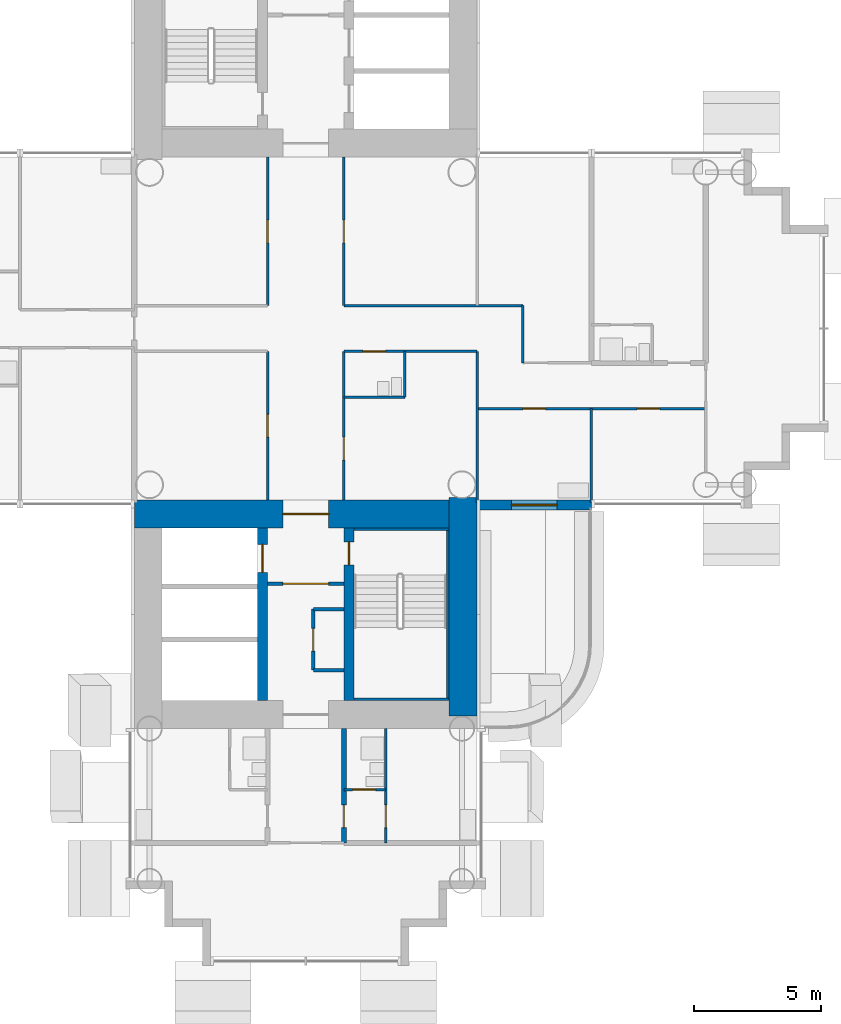
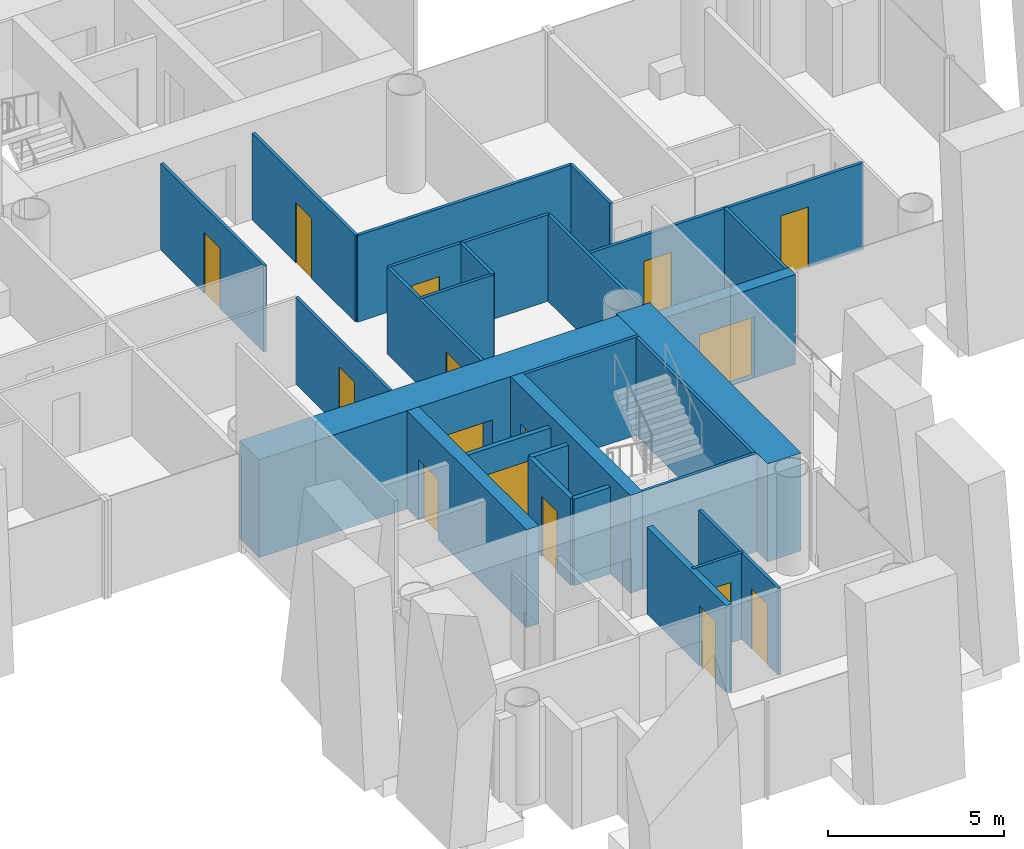
# One storey, part 15 of 25: 27 walls, 16 doors, 16 openings.
"""IFC4 building model written with IfcOpenShell, lengths in metres."""

from ifc_helpers import new_model, si_unit, direction, frame, frame_2d, origin, place, context, subcontext, project, spatial, rectangle, extrude, material, layer, layer_set, type_object, element, fill, save


model = new_model("IFC4")

# Units and contexts
model_context = context("Model", 3, precision=1e-05, world=origin(), true_north=direction((0.0, 1.0)))
body_context = subcontext(model_context, "Body", "Model", "MODEL_VIEW")
ifc_project = project(units=[si_unit("LENGTHUNIT", "METRE"), si_unit("AREAUNIT", "SQUARE_METRE"), si_unit("VOLUMEUNIT", "CUBIC_METRE"), si_unit("PLANEANGLEUNIT", "RADIAN"), si_unit("MASSUNIT", "GRAM", prefix="KILO")], contexts=[model_context])

# Site, building, storey
site_placement = place(None, origin())
site = spatial("IfcSite", under=ifc_project, at=site_placement, CompositionType="ELEMENT")
building_placement = place(site_placement, origin())
building = spatial("IfcBuilding", under=site, at=building_placement, Name="Ipe Terrace Towers", CompositionType="ELEMENT")
storey_placement = place(building_placement, frame((0.0, 0.0, 31.300048828125)))
storey = spatial("IfcBuildingStorey", under=building, at=storey_placement, Name="L07", CompositionType="ELEMENT", Elevation=31.300048828125)

# Wall, opening, door
ifc_material_1 = material(Name="Concrete C40/50 with buff precast cladding", Category="concrete")
ifc_layer_1 = layer(ifc_material_1, 0.39990234375)
ifc_layer_set_1 = layer_set([ifc_layer_1], Name="BALCONY BAY WALL 400")
wall_type_1 = type_object("IfcWallType", Name="BALCONY BAY WALL 400", PredefinedType="STANDARD", material=ifc_layer_set_1)
wall_1_placement = place(storey_placement, frame((42.75, -6.949951171875, -0.02001953125), z_axis=(0.0, 0.0, 1.0), x_axis=(1.0, 0.0, 0.0)))
wall_1 = element("IfcWall", 1, at=wall_1_placement, inside=storey, type_object=wall_type_1, Name="T2-W-L07-06a wall", PredefinedType="STANDARD", context=body_context, shape_type="SweptSolid", body=[
    extrude(rectangle(XDim=4.5, YDim=0.39990234375, at=frame_2d((2.25, 0.0))), origin(), (0.0, 0.0, 1.0), 3.119873046875),
])
opening_1_placement = place(wall_1_placement, frame((1.35009765625, 0.0, 0.02001953125)))
opening_1 = element("IfcOpeningElement", 2, at=opening_1_placement, cuts=wall_1, Name="Opening T2-D-L07-06", PredefinedType="OPENING", context=body_context, shape_type="SweptSolid", body=[
    extrude(rectangle(XDim=1.800048828125, YDim=2.10009765625, at=frame_2d((0.89990234375, 1.050048828125))), frame((0.0, 0.2099609375, 0.0), z_axis=(0.0, -1.0, 0.0), x_axis=(1.0, 0.0, 0.0)), (0.0, 0.0, 1.0), 0.419921875),
])
ifc_material_2 = material(Name="Aluminium alloy 6063-T6 framed glazed door", Category="aluminium")
door_type_1 = type_object("IfcDoorType", Name="BALCONY DOOR 1800 x 2100 RIGHT", OperationType="SINGLE_SWING_RIGHT", PredefinedType="DOOR", material=ifc_material_2)
door_1_placement = place(opening_1_placement, origin())
door_1 = element("IfcDoor", 3, at=door_1_placement, inside=storey, type_object=door_type_1, Name="DB2 door", OperationType="SINGLE_SWING_RIGHT", OverallHeight=2.10009765625, OverallWidth=1.800048828125, PredefinedType="DOOR", context=body_context, shape_type="SweptSolid", body=[
    extrude(rectangle(XDim=1.800048828125, YDim=2.10009765625, at=frame_2d((0.89990234375, 1.050048828125))), frame((0.0, 0.02490234375, 0.0), z_axis=(0.0, -1.0, 0.0), x_axis=(1.0, 0.0, 0.0)), (0.0, 0.0, 1.0), 0.050048828125),
])
fill(opening_1, door_1)

ifc_material_3 = material(Name="Gypsum board partition", Category="plasterboard")
ifc_layer_2 = layer(ifc_material_3, 0.10009765625)
ifc_layer_set_2 = layer_set([ifc_layer_2], Name="Gypsum board partition 100 mm")
wall_type_2 = type_object("IfcWallType", Name="Gypsum board partition 100 mm", PredefinedType="PARTITIONING", material=ifc_layer_set_2)
wall_2_placement = place(storey_placement, frame((39.14990234375, -18.14990234375, 0.0), z_axis=(0.0, 0.0, 1.0), x_axis=(-1.0, 0.0, 0.0)))
wall_2 = element("IfcWall", 4, at=wall_2_placement, inside=storey, type_object=wall_type_2, Name="Gypsum board partition T2 L07 W04", PredefinedType="PARTITIONING", context=body_context, shape_type="SweptSolid", body=[
    extrude(rectangle(XDim=1.64990234375, YDim=0.10009765625, at=frame_2d((0.824951171875, 0.0))), origin(), (0.0, 0.0, 1.0), 3.0),
])
opening_2_placement = place(wall_2_placement, frame((0.39990234375, 0.0, 0.0)))
opening_2 = element("IfcOpeningElement", 5, at=opening_2_placement, cuts=wall_2, Name="Opening T2-Z1A-31", PredefinedType="OPENING", context=body_context, shape_type="SweptSolid", body=[
    extrude(rectangle(XDim=0.89990234375, YDim=2.10009765625, at=frame_2d((0.449951171875, 1.050048828125))), frame((0.0, 0.06005859375, 0.0), z_axis=(0.0, -1.0, 0.0), x_axis=(1.0, 0.0, 0.0)), (0.0, 0.0, 1.0), 0.1201171875),
])
ifc_material_4 = material(Name="Timber door leaf", Category="wood")
door_type_2 = type_object("IfcDoorType", Name="Bathroom door 900 x 2100", OperationType="NOTDEFINED", PredefinedType="DOOR", material=ifc_material_4)
door_2_placement = place(opening_2_placement, origin())
door_2 = element("IfcDoor", 6, at=door_2_placement, inside=storey, type_object=door_type_2, Name="Bathroom door T2-Z1A-31", OperationType="SINGLE_SWING_RIGHT", OverallHeight=2.10009765625, OverallWidth=0.89990234375, PredefinedType="DOOR", context=body_context, shape_type="SweptSolid", body=[
    extrude(rectangle(XDim=0.89990234375, YDim=2.10009765625, at=frame_2d((0.449951171875, 1.050048828125))), frame((0.0, 0.02490234375, 0.0), z_axis=(0.0, -1.0, 0.0), x_axis=(1.0, 0.0, 0.0)), (0.0, 0.0, 1.0), 0.050048828125),
])
fill(opening_2, door_2)

# Wall, openings, doors
wall_3_placement = place(storey_placement, frame((51.75, -3.14990234375, 0.0), z_axis=(0.0, 0.0, 1.0), x_axis=(-1.0, 0.0, 0.0)))
wall_3 = element("IfcWall", 7, at=wall_3_placement, inside=storey, type_object=wall_type_2, Name="Gypsum board partition T2 L07 W06", PredefinedType="PARTITIONING", context=body_context, shape_type="SweptSolid", body=[
    extrude(rectangle(XDim=9.0, YDim=0.10009765625, at=frame_2d((4.5, 0.0))), origin(), (0.0, 0.0, 1.0), 3.0),
])
opening_3_placement = place(wall_3_placement, frame((6.300048828125, 0.0, 0.0)))
opening_3 = element("IfcOpeningElement", 8, at=opening_3_placement, cuts=wall_3, Name="Opening T2-Z1A-19", PredefinedType="OPENING", context=body_context, shape_type="SweptSolid", body=[
    extrude(rectangle(XDim=0.89990234375, YDim=2.10009765625, at=frame_2d((0.449951171875, 1.050048828125))), frame((0.0, 0.06005859375, 0.0), z_axis=(0.0, -1.0, 0.0), x_axis=(1.0, 0.0, 0.0)), (0.0, 0.0, 1.0), 0.1201171875),
])
opening_4_placement = place(wall_3_placement, frame((1.800048828125, 0.0, 0.0)))
opening_4 = element("IfcOpeningElement", 9, at=opening_4_placement, cuts=wall_3, Name="Opening T2-Z1A-20", PredefinedType="OPENING", context=body_context, shape_type="SweptSolid", body=[
    extrude(rectangle(XDim=0.89990234375, YDim=2.10009765625, at=frame_2d((0.449951171875, 1.050048828125))), frame((0.0, 0.06005859375, 0.0), z_axis=(0.0, -1.0, 0.0), x_axis=(1.0, 0.0, 0.0)), (0.0, 0.0, 1.0), 0.1201171875),
])
ifc_material_5 = material(Name="Timber door leaf", Category="wood")
door_type_3 = type_object("IfcDoorType", Name="Lounge door 900 x 2100", OperationType="NOTDEFINED", PredefinedType="DOOR", material=ifc_material_5)
door_3_placement = place(opening_3_placement, origin())
door_3 = element("IfcDoor", 10, at=door_3_placement, inside=storey, type_object=door_type_3, Name="Lounge door T2-Z1A-19", OperationType="SINGLE_SWING_LEFT", OverallHeight=2.10009765625, OverallWidth=0.89990234375, PredefinedType="DOOR", context=body_context, shape_type="SweptSolid", body=[
    extrude(rectangle(XDim=0.89990234375, YDim=2.10009765625, at=frame_2d((0.449951171875, 1.050048828125))), frame((0.0, 0.02490234375, 0.0), z_axis=(0.0, -1.0, 0.0), x_axis=(1.0, 0.0, 0.0)), (0.0, 0.0, 1.0), 0.050048828125),
])
fill(opening_3, door_3)
door_4_placement = place(opening_4_placement, origin())
door_4 = element("IfcDoor", 11, at=door_4_placement, inside=storey, type_object=door_type_3, Name="Lounge door T2-Z1A-20", OperationType="SINGLE_SWING_RIGHT", OverallHeight=2.10009765625, OverallWidth=0.89990234375, PredefinedType="DOOR", context=body_context, shape_type="SweptSolid", body=[
    extrude(rectangle(XDim=0.89990234375, YDim=2.10009765625, at=frame_2d((0.449951171875, 1.050048828125))), frame((0.0, 0.02490234375, 0.0), z_axis=(0.0, -1.0, 0.0), x_axis=(1.0, 0.0, 0.0)), (0.0, 0.0, 1.0), 0.050048828125),
])
fill(opening_4, door_4)

# Wall
wall_4_placement = place(storey_placement, frame((39.89990234375, -2.699951171875, 0.0), z_axis=(0.0, 0.0, 1.0), x_axis=(-1.0, 0.0, 0.0)))
element("IfcWall", 12, at=wall_4_placement, inside=storey, type_object=wall_type_2, Name="Gypsum board partition T2 L07 W07", PredefinedType="PARTITIONING", context=body_context, shape_type="SweptSolid", body=[
    extrude(rectangle(XDim=2.39990234375, YDim=0.10009765625, at=frame_2d((1.199951171875, 0.0))), origin(), (0.0, 0.0, 1.0), 3.0),
])

# Wall, opening, door
wall_5_placement = place(storey_placement, frame((42.75, -0.89990234375, 0.0), z_axis=(0.0, 0.0, 1.0), x_axis=(-1.0, 0.0, 0.0)))
wall_5 = element("IfcWall", 13, at=wall_5_placement, inside=storey, type_object=wall_type_2, Name="Gypsum board partition T2 L07 W11", PredefinedType="PARTITIONING", context=body_context, shape_type="SweptSolid", body=[
    extrude(rectangle(XDim=5.25, YDim=0.10009765625, at=frame_2d((2.625, 0.0))), origin(), (0.0, 0.0, 1.0), 3.0),
])
opening_5_placement = place(wall_5_placement, frame((3.60009765625, 0.0, 0.0)))
opening_5 = element("IfcOpeningElement", 14, at=opening_5_placement, cuts=wall_5, Name="Opening T2-Z1A-01", PredefinedType="OPENING", context=body_context, shape_type="SweptSolid", body=[
    extrude(rectangle(XDim=0.89990234375, YDim=2.10009765625, at=frame_2d((0.449951171875, 1.050048828125))), frame((0.0, 0.06005859375, 0.0), z_axis=(0.0, -1.0, 0.0), x_axis=(1.0, 0.0, 0.0)), (0.0, 0.0, 1.0), 0.1201171875),
])
door_5_placement = place(opening_5_placement, origin())
door_5 = element("IfcDoor", 15, at=door_5_placement, inside=storey, type_object=door_type_2, Name="Bathroom door T2-Z1A-01", OperationType="SINGLE_SWING_LEFT", OverallHeight=2.10009765625, OverallWidth=0.89990234375, PredefinedType="DOOR", context=body_context, shape_type="SweptSolid", body=[
    extrude(rectangle(XDim=0.89990234375, YDim=2.10009765625, at=frame_2d((0.449951171875, 1.050048828125))), frame((0.0, 0.02490234375, 0.0), z_axis=(0.0, -1.0, 0.0), x_axis=(1.0, 0.0, 0.0)), (0.0, 0.0, 1.0), 0.050048828125),
])
fill(opening_5, door_5)

# Walls
wall_6_placement = place(storey_placement, frame((44.550048828125, 0.89990234375, 0.0), z_axis=(0.0, 0.0, 1.0), x_axis=(-1.0, 0.0, 0.0)))
element("IfcWall", 16, at=wall_6_placement, inside=storey, type_object=wall_type_2, Name="Gypsum board partition T2 L07 W16", PredefinedType="PARTITIONING", context=body_context, shape_type="SweptSolid", body=[
    extrude(rectangle(XDim=7.050048828125, YDim=0.10009765625, at=frame_2d((3.52490234375, 0.0))), origin(), (0.0, 0.0, 1.0), 3.0),
])
wall_7_placement = place(storey_placement, frame((47.25, -6.85009765625, 0.0), z_axis=(0.0, 0.0, 1.0), x_axis=(0.0, 1.0, 0.0)))
element("IfcWall", 17, at=wall_7_placement, inside=storey, type_object=wall_type_2, Name="Gypsum board partition T2 L07 W27", PredefinedType="PARTITIONING", context=body_context, shape_type="SweptSolid", body=[
    extrude(rectangle(XDim=3.7001953125, YDim=0.10009765625, at=frame_2d((1.85009765625, 0.0))), origin(), (0.0, 0.0, 1.0), 3.0),
])
wall_8_placement = place(storey_placement, frame((44.550048828125, -1.35009765625, 0.0), z_axis=(0.0, 0.0, 1.0), x_axis=(0.0, 1.0, 0.0)))
element("IfcWall", 18, at=wall_8_placement, inside=storey, type_object=wall_type_2, Name="Gypsum board partition T2 L07 W29", PredefinedType="PARTITIONING", context=body_context, shape_type="SweptSolid", body=[
    extrude(rectangle(XDim=2.25, YDim=0.10009765625, at=frame_2d((1.125, 0.0))), origin(), (0.0, 0.0, 1.0), 3.0),
])
wall_9_placement = place(storey_placement, frame((42.75, -6.85009765625, 0.0), z_axis=(0.0, 0.0, 1.0), x_axis=(0.0, 1.0, 0.0)))
element("IfcWall", 19, at=wall_9_placement, inside=storey, type_object=wall_type_2, Name="Gypsum board partition T2 L07 W30", PredefinedType="PARTITIONING", context=body_context, shape_type="SweptSolid", body=[
    extrude(rectangle(XDim=5.9501953125, YDim=0.10009765625, at=frame_2d((2.97509765625, 0.0))), origin(), (0.0, 0.0, 1.0), 3.0),
])
wall_10_placement = place(storey_placement, frame((39.89990234375, -2.699951171875, 0.0), z_axis=(0.0, 0.0, 1.0), x_axis=(0.0, 1.0, 0.0)))
element("IfcWall", 20, at=wall_10_placement, inside=storey, type_object=wall_type_2, Name="Gypsum board partition T2 L07 W32", PredefinedType="PARTITIONING", context=body_context, shape_type="SweptSolid", body=[
    extrude(rectangle(XDim=1.800048828125, YDim=0.10009765625, at=frame_2d((0.89990234375, 0.0))), origin(), (0.0, 0.0, 1.0), 3.0),
])

# Wall, opening, door
wall_11_placement = place(storey_placement, frame((39.14990234375, -20.25, 0.0), z_axis=(0.0, 0.0, 1.0), x_axis=(0.0, 1.0, 0.0)))
wall_11 = element("IfcWall", 21, at=wall_11_placement, inside=storey, type_object=wall_type_2, Name="Gypsum board partition T2 L07 W33", PredefinedType="PARTITIONING", context=body_context, shape_type="SweptSolid", body=[
    extrude(rectangle(XDim=4.5, YDim=0.10009765625, at=frame_2d((2.25, 0.0))), origin(), (0.0, 0.0, 1.0), 3.0),
])
opening_6_placement = place(wall_11_placement, frame((0.60009765625, 0.0, 0.0)))
opening_6 = element("IfcOpeningElement", 22, at=opening_6_placement, cuts=wall_11, Name="Opening T2-Z1A-30", PredefinedType="OPENING", context=body_context, shape_type="SweptSolid", body=[
    extrude(rectangle(XDim=0.89990234375, YDim=2.10009765625, at=frame_2d((0.449951171875, 1.050048828125))), frame((0.0, 0.06005859375, 0.0), z_axis=(0.0, -1.0, 0.0), x_axis=(1.0, 0.0, 0.0)), (0.0, 0.0, 1.0), 0.1201171875),
])
ifc_material_6 = material(Name="Timber door leaf", Category="wood")
door_type_4 = type_object("IfcDoorType", Name="Bedroom door 900 x 2100", OperationType="NOTDEFINED", PredefinedType="DOOR", material=ifc_material_6)
door_6_placement = place(opening_6_placement, origin())
door_6 = element("IfcDoor", 23, at=door_6_placement, inside=storey, type_object=door_type_4, Name="Bedroom door T2-Z1A-30", OperationType="SINGLE_SWING_LEFT", OverallHeight=2.10009765625, OverallWidth=0.89990234375, PredefinedType="DOOR", context=body_context, shape_type="SweptSolid", body=[
    extrude(rectangle(XDim=0.89990234375, YDim=2.10009765625, at=frame_2d((0.449951171875, 1.050048828125))), frame((0.0, 0.02490234375, 0.0), z_axis=(0.0, -1.0, 0.0), x_axis=(1.0, 0.0, 0.0)), (0.0, 0.0, 1.0), 0.050048828125),
])
fill(opening_6, door_6)

wall_12_placement = place(storey_placement, frame((37.5, -6.75, 0.0), z_axis=(0.0, 0.0, 1.0), x_axis=(0.0, 1.0, 0.0)))
wall_12 = element("IfcWall", 24, at=wall_12_placement, inside=storey, type_object=wall_type_2, Name="Gypsum board partition T2 L07 W35", PredefinedType="PARTITIONING", context=body_context, shape_type="SweptSolid", body=[
    extrude(rectangle(XDim=5.85009765625, YDim=0.10009765625, at=frame_2d((2.925048828125, 0.0))), origin(), (0.0, 0.0, 1.0), 3.0),
])
opening_7_placement = place(wall_12_placement, frame((1.574951171875, 0.0, 0.0)))
opening_7 = element("IfcOpeningElement", 25, at=opening_7_placement, cuts=wall_12, Name="Opening T2-Z1A-04", PredefinedType="OPENING", context=body_context, shape_type="SweptSolid", body=[
    extrude(rectangle(XDim=0.89990234375, YDim=2.10009765625, at=frame_2d((0.449951171875, 1.050048828125))), frame((0.0, 0.06005859375, 0.0), z_axis=(0.0, -1.0, 0.0), x_axis=(1.0, 0.0, 0.0)), (0.0, 0.0, 1.0), 0.1201171875),
])
door_7_placement = place(opening_7_placement, origin())
door_7 = element("IfcDoor", 26, at=door_7_placement, inside=storey, type_object=door_type_3, Name="Lounge door T2-Z1A-04", OperationType="SINGLE_SWING_LEFT", OverallHeight=2.10009765625, OverallWidth=0.89990234375, PredefinedType="DOOR", context=body_context, shape_type="SweptSolid", body=[
    extrude(rectangle(XDim=0.89990234375, YDim=2.10009765625, at=frame_2d((0.449951171875, 1.050048828125))), frame((0.0, 0.02490234375, 0.0), z_axis=(0.0, -1.0, 0.0), x_axis=(1.0, 0.0, 0.0)), (0.0, 0.0, 1.0), 0.050048828125),
])
fill(opening_7, door_7)

wall_13_placement = place(storey_placement, frame((37.5, 0.89990234375, 0.0), z_axis=(0.0, 0.0, 1.0), x_axis=(0.0, 1.0, 0.0)))
wall_13 = element("IfcWall", 27, at=wall_13_placement, inside=storey, type_object=wall_type_2, Name="Gypsum board partition T2 L07 W36", PredefinedType="PARTITIONING", context=body_context, shape_type="SweptSolid", body=[
    extrude(rectangle(XDim=5.85009765625, YDim=0.10009765625, at=frame_2d((2.925048828125, 0.0))), origin(), (0.0, 0.0, 1.0), 3.0),
])
opening_8_placement = place(wall_13_placement, frame((2.47509765625, 0.0, 0.0)))
opening_8 = element("IfcOpeningElement", 28, at=opening_8_placement, cuts=wall_13, Name="Opening T2-Z1A-05", PredefinedType="OPENING", context=body_context, shape_type="SweptSolid", body=[
    extrude(rectangle(XDim=0.89990234375, YDim=2.10009765625, at=frame_2d((0.449951171875, 1.050048828125))), frame((0.0, 0.06005859375, 0.0), z_axis=(0.0, -1.0, 0.0), x_axis=(1.0, 0.0, 0.0)), (0.0, 0.0, 1.0), 0.1201171875),
])
door_8_placement = place(opening_8_placement, origin())
door_8 = element("IfcDoor", 29, at=door_8_placement, inside=storey, type_object=door_type_3, Name="Lounge door T2-Z1A-05", OperationType="SINGLE_SWING_RIGHT", OverallHeight=2.10009765625, OverallWidth=0.89990234375, PredefinedType="DOOR", context=body_context, shape_type="SweptSolid", body=[
    extrude(rectangle(XDim=0.89990234375, YDim=2.10009765625, at=frame_2d((0.449951171875, 1.050048828125))), frame((0.0, 0.02490234375, 0.0), z_axis=(0.0, -1.0, 0.0), x_axis=(1.0, 0.0, 0.0)), (0.0, 0.0, 1.0), 0.050048828125),
])
fill(opening_8, door_8)

wall_14_placement = place(storey_placement, frame((34.5, -6.75, 0.0), z_axis=(0.0, 0.0, 1.0), x_axis=(0.0, 1.0, 0.0)))
wall_14 = element("IfcWall", 30, at=wall_14_placement, inside=storey, type_object=wall_type_2, Name="Gypsum board partition T2 L07 W39", PredefinedType="PARTITIONING", context=body_context, shape_type="SweptSolid", body=[
    extrude(rectangle(XDim=5.85009765625, YDim=0.10009765625, at=frame_2d((2.925048828125, 0.0))), origin(), (0.0, 0.0, 1.0), 3.0),
])
opening_9_placement = place(wall_14_placement, frame((2.47509765625, 0.0, 0.0)))
opening_9 = element("IfcOpeningElement", 31, at=opening_9_placement, cuts=wall_14, Name="Opening T2-Z1A-03", PredefinedType="OPENING", context=body_context, shape_type="SweptSolid", body=[
    extrude(rectangle(XDim=0.89990234375, YDim=2.10009765625, at=frame_2d((0.449951171875, 1.050048828125))), frame((0.0, 0.06005859375, 0.0), z_axis=(0.0, -1.0, 0.0), x_axis=(1.0, 0.0, 0.0)), (0.0, 0.0, 1.0), 0.1201171875),
])
door_9_placement = place(opening_9_placement, origin())
door_9 = element("IfcDoor", 32, at=door_9_placement, inside=storey, type_object=door_type_3, Name="Lounge door T2-Z1A-03", OperationType="SINGLE_SWING_RIGHT", OverallHeight=2.10009765625, OverallWidth=0.89990234375, PredefinedType="DOOR", context=body_context, shape_type="SweptSolid", body=[
    extrude(rectangle(XDim=0.89990234375, YDim=2.10009765625, at=frame_2d((0.449951171875, 1.050048828125))), frame((0.0, 0.02490234375, 0.0), z_axis=(0.0, -1.0, 0.0), x_axis=(1.0, 0.0, 0.0)), (0.0, 0.0, 1.0), 0.050048828125),
])
fill(opening_9, door_9)

wall_15_placement = place(storey_placement, frame((34.5, 0.89990234375, 0.0), z_axis=(0.0, 0.0, 1.0), x_axis=(0.0, 1.0, 0.0)))
wall_15 = element("IfcWall", 33, at=wall_15_placement, inside=storey, type_object=wall_type_2, Name="Gypsum board partition T2 L07 W40", PredefinedType="PARTITIONING", context=body_context, shape_type="SweptSolid", body=[
    extrude(rectangle(XDim=5.85009765625, YDim=0.10009765625, at=frame_2d((2.925048828125, 0.0))), origin(), (0.0, 0.0, 1.0), 3.0),
])
opening_10_placement = place(wall_15_placement, frame((2.47509765625, 0.0, 0.0)))
opening_10 = element("IfcOpeningElement", 34, at=opening_10_placement, cuts=wall_15, Name="Opening T2-Z1A-02", PredefinedType="OPENING", context=body_context, shape_type="SweptSolid", body=[
    extrude(rectangle(XDim=0.89990234375, YDim=2.10009765625, at=frame_2d((0.449951171875, 1.050048828125))), frame((0.0, 0.06005859375, 0.0), z_axis=(0.0, -1.0, 0.0), x_axis=(1.0, 0.0, 0.0)), (0.0, 0.0, 1.0), 0.1201171875),
])
door_10_placement = place(opening_10_placement, origin())
door_10 = element("IfcDoor", 35, at=door_10_placement, inside=storey, type_object=door_type_3, Name="Lounge door T2-Z1A-02", OperationType="SINGLE_SWING_LEFT", OverallHeight=2.10009765625, OverallWidth=0.89990234375, PredefinedType="DOOR", context=body_context, shape_type="SweptSolid", body=[
    extrude(rectangle(XDim=0.89990234375, YDim=2.10009765625, at=frame_2d((0.449951171875, 1.050048828125))), frame((0.0, 0.02490234375, 0.0), z_axis=(0.0, -1.0, 0.0), x_axis=(1.0, 0.0, 0.0)), (0.0, 0.0, 1.0), 0.050048828125),
])
fill(opening_10, door_10)

ifc_material_7 = material(Name="Gypsum board partition", Category="plasterboard")
ifc_layer_3 = layer(ifc_material_7, 0.14990234375)
ifc_layer_set_3 = layer_set([ifc_layer_3], Name="Gypsum board partition 150 mm")
wall_type_3 = type_object("IfcWallType", Name="Gypsum board partition 150 mm", PredefinedType="PARTITIONING", material=ifc_layer_set_3)
wall_16_placement = place(storey_placement, frame((34.5, -10.050048828125, 0.0), z_axis=(0.0, 0.0, 1.0), x_axis=(1.0, 0.0, 0.0)))
wall_16 = element("IfcWall", 36, at=wall_16_placement, inside=storey, type_object=wall_type_3, Name="Gypsum board partition T2 L07 t2c2-lobby-wall", PredefinedType="PARTITIONING", context=body_context, shape_type="SweptSolid", body=[
    extrude(rectangle(XDim=3.0, YDim=0.14990234375, at=frame_2d((1.5, 0.0))), origin(), (0.0, 0.0, 1.0), 3.0),
])
opening_11_placement = place(wall_16_placement, frame((0.60009765625, 0.0, 0.0)))
opening_11 = element("IfcOpeningElement", 37, at=opening_11_placement, cuts=wall_16, Name="Opening T2C2-VD", PredefinedType="OPENING", context=body_context, shape_type="SweptSolid", body=[
    extrude(rectangle(XDim=1.800048828125, YDim=2.10009765625, at=frame_2d((0.89990234375, 1.050048828125))), frame((0.0, 0.0849609375, 0.0), z_axis=(0.0, -1.0, 0.0), x_axis=(1.0, 0.0, 0.0)), (0.0, 0.0, 1.0), 0.169921875),
])
ifc_material_8 = material(Name="Fire-rated timber door leaf", Category="wood")
door_type_5 = type_object("IfcDoorType", Name="Lobby door 1800 x 2100 FD60", OperationType="NOTDEFINED", PredefinedType="DOOR", material=ifc_material_8)
door_11_placement = place(opening_11_placement, origin())
door_11 = element("IfcDoor", 38, at=door_11_placement, inside=storey, type_object=door_type_5, Name="Lobby door T2C2-VD", OperationType="SINGLE_SWING_LEFT", OverallHeight=2.10009765625, OverallWidth=1.800048828125, PredefinedType="DOOR", context=body_context, shape_type="SweptSolid", body=[
    extrude(rectangle(XDim=1.800048828125, YDim=2.10009765625, at=frame_2d((0.89990234375, 1.050048828125))), frame((0.0, 0.02490234375, 0.0), z_axis=(0.0, -1.0, 0.0), x_axis=(1.0, 0.0, 0.0)), (0.0, 0.0, 1.0), 0.050048828125),
])
fill(opening_11, door_11)

wall_17_placement = place(storey_placement, frame((36.300048828125, -11.050048828125, 0.0), z_axis=(0.0, 0.0, 1.0), x_axis=(0.0, -1.0, 0.0)))
wall_17 = element("IfcWall", 39, at=wall_17_placement, inside=storey, type_object=wall_type_3, Name="Gypsum board partition T2 L07 t2c2-cup-n-f", PredefinedType="PARTITIONING", context=body_context, shape_type="SweptSolid", body=[
    extrude(rectangle(XDim=2.39990234375, YDim=0.14990234375, at=frame_2d((1.199951171875, 0.0))), origin(), (0.0, 0.0, 1.0), 3.0),
])
opening_12_placement = place(wall_17_placement, frame((0.75, 0.0, 0.0)))
opening_12 = element("IfcOpeningElement", 40, at=opening_12_placement, cuts=wall_17, Name="Opening T2C2-SR", PredefinedType="OPENING", context=body_context, shape_type="SweptSolid", body=[
    extrude(rectangle(XDim=0.89990234375, YDim=2.10009765625, at=frame_2d((0.449951171875, 1.050048828125))), frame((0.0, 0.0849609375, 0.0), z_axis=(0.0, -1.0, 0.0), x_axis=(1.0, 0.0, 0.0)), (0.0, 0.0, 1.0), 0.169921875),
])
ifc_material_9 = material(Name="Fire-rated timber door leaf", Category="wood")
door_type_6 = type_object("IfcDoorType", Name="Service door 900 x 2100 FD60", OperationType="NOTDEFINED", PredefinedType="DOOR", material=ifc_material_9)
door_12_placement = place(opening_12_placement, origin())
door_12 = element("IfcDoor", 41, at=door_12_placement, inside=storey, type_object=door_type_6, Name="Service door T2C2-SR", OperationType="SINGLE_SWING_LEFT", OverallHeight=2.10009765625, OverallWidth=0.89990234375, PredefinedType="DOOR", context=body_context, shape_type="SweptSolid", body=[
    extrude(rectangle(XDim=0.89990234375, YDim=2.10009765625, at=frame_2d((0.449951171875, 1.050048828125))), frame((0.0, 0.02490234375, 0.0), z_axis=(0.0, -1.0, 0.0), x_axis=(1.0, 0.0, 0.0)), (0.0, 0.0, 1.0), 0.050048828125),
])
fill(opening_12, door_12)

# Walls
for number, where, z_axis, x_axis, name in (
    (42, (36.300048828125, -11.050048828125, 0.0), (0.0, 0.0, 1.0), (1.0, 0.0, 0.0), "Gypsum board partition T2 L07 t2c2-cup-n-a"),
    (43, (36.300048828125, -13.449951171875, 0.0), (0.0, 0.0, 1.0), (1.0, 0.0, 0.0), "Gypsum board partition T2 L07 t2c2-cup-n-b"),
):
    element("IfcWall", number, at=place(storey_placement, frame(where, z_axis=z_axis, x_axis=x_axis)), inside=storey, type_object=wall_type_3, Name=name, PredefinedType="PARTITIONING", context=body_context, shape_type="SweptSolid", body=[
        extrude(rectangle(XDim=1.199951171875, YDim=0.14990234375, at=frame_2d((0.60009765625, 0.0))), origin(), (0.0, 0.0, 1.0), 3.0),
    ])

# Wall, opening, door
ifc_material_10 = material(Name="Gypsum board party wall", Category="plasterboard")
ifc_layer_4 = layer(ifc_material_10, 0.199951171875)
ifc_layer_set_4 = layer_set([ifc_layer_4], Name="Gypsum board party wall 200 mm")
wall_type_4 = type_object("IfcWallType", Name="Gypsum board party wall 200 mm", PredefinedType="SOLIDWALL", material=ifc_layer_set_4)
wall_18_placement = place(storey_placement, frame((37.5, -20.25, 0.0), z_axis=(0.0, 0.0, 1.0), x_axis=(0.0, 1.0, 0.0)))
wall_18 = element("IfcWall", 44, at=wall_18_placement, inside=storey, type_object=wall_type_4, Name="Gypsum board party wall T2 L07 W37", PredefinedType="SOLIDWALL", context=body_context, shape_type="SweptSolid", body=[
    extrude(rectangle(XDim=4.5, YDim=0.199951171875, at=frame_2d((2.25, 0.0))), origin(), (0.0, 0.0, 1.0), 3.0),
])
opening_13_placement = place(wall_18_placement, frame((0.60009765625, 0.0, 0.0)))
opening_13 = element("IfcOpeningElement", 45, at=opening_13_placement, cuts=wall_18, Name="Opening T2-Z1A-29", PredefinedType="OPENING", context=body_context, shape_type="SweptSolid", body=[
    extrude(rectangle(XDim=0.89990234375, YDim=2.10009765625, at=frame_2d((0.449951171875, 1.050048828125))), frame((0.0, 0.10986328125, 0.0), z_axis=(0.0, -1.0, 0.0), x_axis=(1.0, 0.0, 0.0)), (0.0, 0.0, 1.0), 0.219970703125),
])
ifc_material_11 = material(Name="Fire-rated timber door leaf", Category="wood")
door_type_7 = type_object("IfcDoorType", Name="Flat entrance door 900 x 2100 FD30S", OperationType="NOTDEFINED", PredefinedType="DOOR", material=ifc_material_11)
door_13_placement = place(opening_13_placement, origin())
door_13 = element("IfcDoor", 46, at=door_13_placement, inside=storey, type_object=door_type_7, Name="Flat entrance door T2-Z1A-29", OperationType="SINGLE_SWING_LEFT", OverallHeight=2.10009765625, OverallWidth=0.89990234375, PredefinedType="DOOR", context=body_context, shape_type="SweptSolid", body=[
    extrude(rectangle(XDim=0.89990234375, YDim=2.10009765625, at=frame_2d((0.449951171875, 1.050048828125))), frame((0.0, 0.02490234375, 0.0), z_axis=(0.0, -1.0, 0.0), x_axis=(1.0, 0.0, 0.0)), (0.0, 0.0, 1.0), 0.050048828125),
])
fill(opening_13, door_13)

# Walls
ifc_material_12 = material(Name="Concrete C60/75", Category="concrete")
ifc_layer_5 = layer(ifc_material_12, 0.10009765625)
ifc_layer_set_5 = layer_set([ifc_layer_5], Name="RW100 CORE INFILL WALL 100 C60-75")
wall_type_5 = type_object("IfcWallType", Name="RW100 CORE INFILL WALL 100 C60-75", PredefinedType="SHEAR", material=ifc_layer_set_5)
wall_19_placement = place(storey_placement, frame((37.89990234375, -14.60009765625, 0.0), z_axis=(0.0, 0.0, 1.0), x_axis=(1.0, 0.0, 0.0)))
element("IfcWall", 47, at=wall_19_placement, inside=storey, type_object=wall_type_5, Name="Core infill wall T2-C2-far", PredefinedType="SHEAR", context=body_context, shape_type="SweptSolid", body=[
    extrude(rectangle(XDim=3.75, YDim=0.10009765625, at=frame_2d((1.875, 0.0))), origin(), (0.0, 0.0, 1.0), 3.39990234375),
])
wall_20_placement = place(storey_placement, frame((41.60009765625, -7.949951171875, 0.0), z_axis=(0.0, 0.0, 1.0), x_axis=(0.0, -1.0, 0.0)))
element("IfcWall", 48, at=wall_20_placement, inside=storey, type_object=wall_type_5, Name="Core infill wall T2-C2-back", PredefinedType="SHEAR", context=body_context, shape_type="SweptSolid", body=[
    extrude(rectangle(XDim=6.60009765625, YDim=0.10009765625, at=frame_2d((3.300048828125, 0.0))), origin(), (0.0, 0.0, 1.0), 3.39990234375),
])
wall_21_placement = place(storey_placement, frame((37.89990234375, -7.89990234375, 0.0), z_axis=(0.0, 0.0, 1.0), x_axis=(1.0, 0.0, 0.0)))
element("IfcWall", 49, at=wall_21_placement, inside=storey, type_object=wall_type_5, Name="Core infill wall T2-C2-near", PredefinedType="SHEAR", context=body_context, shape_type="SweptSolid", body=[
    extrude(rectangle(XDim=3.75, YDim=0.10009765625, at=frame_2d((1.875, 0.0))), origin(), (0.0, 0.0, 1.0), 3.39990234375),
])
ifc_material_13 = material(Name="Concrete C60/75", Category="concrete")
ifc_layer_6 = layer(ifc_material_13, 1.10009765625)
ifc_layer_set_6 = layer_set([ifc_layer_6], Name="RW1100 CORE WALL 1100 C60-75")
wall_type_6 = type_object("IfcWallType", Name="RW1100 CORE WALL 1100 C60-75", PredefinedType="SHEAR", material=ifc_layer_set_6)
wall_22_placement = place(storey_placement, frame((42.199951171875, -15.248046875, 0.0), z_axis=(0.0, 0.0, 1.0), x_axis=(0.0, 1.0, 0.0)))
element("IfcWall", 50, at=wall_22_placement, inside=storey, type_object=wall_type_6, Name="Core wall T2-C2-Z1-W02", PredefinedType="SHEAR", context=body_context, shape_type="SweptSolid", body=[
    extrude(rectangle(XDim=8.595947265625, YDim=1.10009765625, at=frame_2d((4.2978515625, 0.0))), origin(), (0.0, 0.0, 1.0), 3.39990234375),
])

# Wall, opening, door
wall_23_placement = place(storey_placement, frame((41.64990234375, -7.300048828125, 0.0), z_axis=(0.0, 0.0, 1.0), x_axis=(-1.0, 0.0, 0.0)))
wall_23 = element("IfcWall", 51, at=wall_23_placement, inside=storey, type_object=wall_type_6, Name="Core wall T2-C2-Z1-W03", PredefinedType="SHEAR", context=body_context, shape_type="SweptSolid", body=[
    extrude(rectangle(XDim=12.39990234375, YDim=1.10009765625, at=frame_2d((6.199951171875, 0.0))), origin(), (0.0, 0.0, 1.0), 3.39990234375),
])
opening_14_placement = place(wall_23_placement, frame((4.75, 0.0, 0.0)))
opening_14 = element("IfcOpeningElement", 52, at=opening_14_placement, cuts=wall_23, Name="Opening T2C2-ND", PredefinedType="OPENING", context=body_context, shape_type="SweptSolid", body=[
    extrude(rectangle(XDim=1.800048828125, YDim=2.10009765625, at=frame_2d((0.89990234375, 1.050048828125))), frame((0.0, 0.56005859375, 0.0), z_axis=(0.0, -1.0, 0.0), x_axis=(1.0, 0.0, 0.0)), (0.0, 0.0, 1.0), 1.1201171875),
])
ifc_material_14 = material(Name="Fire-rated timber door leaf", Category="wood")
door_type_8 = type_object("IfcDoorType", Name="Fire door 1800 x 2100 FD30S", OperationType="NOTDEFINED", PredefinedType="DOOR", material=ifc_material_14)
door_14_placement = place(opening_14_placement, origin())
door_14 = element("IfcDoor", 53, at=door_14_placement, inside=storey, type_object=door_type_8, Name="Fire door T2C2-ND", OperationType="SINGLE_SWING_LEFT", OverallHeight=2.10009765625, OverallWidth=1.800048828125, PredefinedType="DOOR", context=body_context, shape_type="SweptSolid", body=[
    extrude(rectangle(XDim=1.800048828125, YDim=2.10009765625, at=frame_2d((0.89990234375, 1.050048828125))), frame((0.0, 0.02490234375, 0.0), z_axis=(0.0, -1.0, 0.0), x_axis=(1.0, 0.0, 0.0)), (0.0, 0.0, 1.0), 0.050048828125),
])
fill(opening_14, door_14)

ifc_material_15 = material(Name="Concrete C60/75", Category="concrete")
ifc_layer_7 = layer(ifc_material_15, 0.39990234375)
ifc_layer_set_7 = layer_set([ifc_layer_7], Name="RW400 CORE SPINE WALL 400 C60-75")
wall_type_7 = type_object("IfcWallType", Name="RW400 CORE SPINE WALL 400 C60-75", PredefinedType="SHEAR", material=ifc_layer_set_7)
wall_24_placement = place(storey_placement, frame((34.300048828125, -14.64990234375, 0.0), z_axis=(0.0, 0.0, 1.0), x_axis=(0.0, 1.0, 0.0)))
wall_24 = element("IfcWall", 54, at=wall_24_placement, inside=storey, type_object=wall_type_7, Name="Core spine wall T2-C2-Z1-SW1", PredefinedType="SHEAR", context=body_context, shape_type="SweptSolid", body=[
    extrude(rectangle(XDim=6.7998046875, YDim=0.39990234375, at=frame_2d((3.39990234375, 0.0))), origin(), (0.0, 0.0, 1.0), 3.39990234375),
])
opening_15_placement = place(wall_24_placement, frame((5.050048828125, 0.0, 0.0)))
opening_15 = element("IfcOpeningElement", 55, at=opening_15_placement, cuts=wall_24, Name="Opening T2C2-LD1", PredefinedType="OPENING", context=body_context, shape_type="SweptSolid", body=[
    extrude(rectangle(XDim=1.10009765625, YDim=2.10009765625, at=frame_2d((0.550048828125, 1.050048828125))), frame((0.0, 0.2099609375, 0.0), z_axis=(0.0, -1.0, 0.0), x_axis=(1.0, 0.0, 0.0)), (0.0, 0.0, 1.0), 0.419921875),
])
ifc_material_16 = material(Name="Fire-rated timber door leaf", Category="wood")
door_type_9 = type_object("IfcDoorType", Name="Sliding door 1100 x 2100 FD60", OperationType="SLIDING_TO_LEFT", PredefinedType="DOOR", material=ifc_material_16)
door_15_placement = place(opening_15_placement, origin())
door_15 = element("IfcDoor", 56, at=door_15_placement, inside=storey, type_object=door_type_9, Name="Sliding door T2C2-LD1", OperationType="SLIDING_TO_LEFT", OverallHeight=2.10009765625, OverallWidth=1.10009765625, PredefinedType="DOOR", context=body_context, shape_type="SweptSolid", body=[
    extrude(rectangle(XDim=1.10009765625, YDim=2.10009765625, at=frame_2d((0.550048828125, 1.050048828125))), frame((0.0, 0.02490234375, 0.0), z_axis=(0.0, -1.0, 0.0), x_axis=(1.0, 0.0, 0.0)), (0.0, 0.0, 1.0), 0.050048828125),
])
fill(opening_15, door_15)

wall_25_placement = place(storey_placement, frame((37.699951171875, -14.64990234375, 0.0), z_axis=(0.0, 0.0, 1.0), x_axis=(0.0, 1.0, 0.0)))
wall_25 = element("IfcWall", 57, at=wall_25_placement, inside=storey, type_object=wall_type_7, Name="Core spine wall T2-C2-Z1-SW2", PredefinedType="SHEAR", context=body_context, shape_type="SweptSolid", body=[
    extrude(rectangle(XDim=6.7998046875, YDim=0.39990234375, at=frame_2d((3.39990234375, 0.0))), origin(), (0.0, 0.0, 1.0), 3.39990234375),
])
opening_16_placement = place(wall_25_placement, frame((5.35009765625, 0.0, 0.0)))
opening_16 = element("IfcOpeningElement", 58, at=opening_16_placement, cuts=wall_25, Name="Opening T2C2-SD", PredefinedType="OPENING", context=body_context, shape_type="SweptSolid", body=[
    extrude(rectangle(XDim=0.89990234375, YDim=2.10009765625, at=frame_2d((0.449951171875, 1.050048828125))), frame((0.0, 0.2099609375, 0.0), z_axis=(0.0, -1.0, 0.0), x_axis=(1.0, 0.0, 0.0)), (0.0, 0.0, 1.0), 0.419921875),
])
ifc_material_17 = material(Name="Fire-rated timber door leaf", Category="wood")
door_type_10 = type_object("IfcDoorType", Name="Stair door 900 x 2100 FD60", OperationType="NOTDEFINED", PredefinedType="DOOR", material=ifc_material_17)
door_16_placement = place(opening_16_placement, origin())
door_16 = element("IfcDoor", 59, at=door_16_placement, inside=storey, type_object=door_type_10, Name="Stair door T2C2-SD", OperationType="SINGLE_SWING_RIGHT", OverallHeight=2.10009765625, OverallWidth=0.89990234375, PredefinedType="DOOR", context=body_context, shape_type="SweptSolid", body=[
    extrude(rectangle(XDim=0.89990234375, YDim=2.10009765625, at=frame_2d((0.449951171875, 1.050048828125))), frame((0.0, 0.02490234375, 0.0), z_axis=(0.0, -1.0, 0.0), x_axis=(1.0, 0.0, 0.0)), (0.0, 0.0, 1.0), 0.050048828125),
])
fill(opening_16, door_16)

save(model, "model.ifc")
